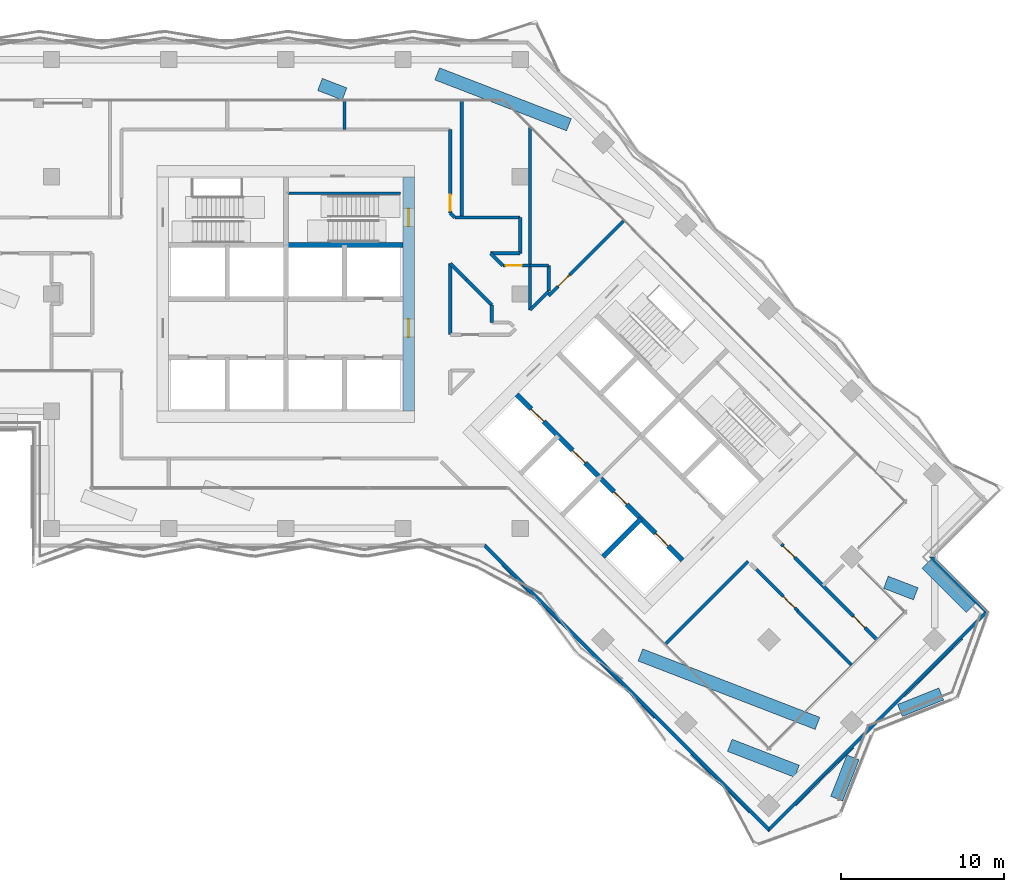
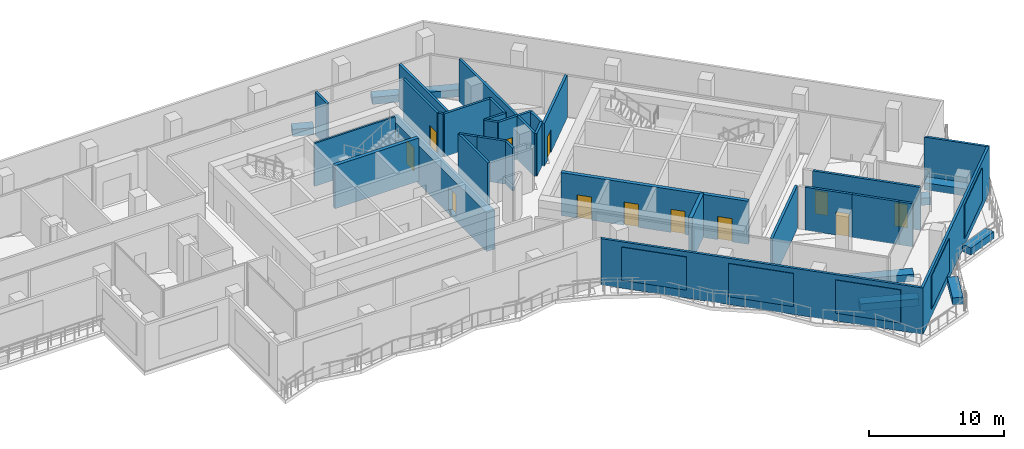
# One storey, part 12 of 23: 40 walls, 12 doors, 5 plates, 12 openings.
"""IFC4 building model written with IfcOpenShell, lengths in metres."""

from ifc_helpers import new_model, si_unit, direction, frame, frame_2d, origin, place, context, subcontext, project, spatial, polyline, rectangle, outline, extrude, material, layer, layer_set, type_object, element, fill, aggregate, save


model = new_model("IFC4")

# Units and contexts
model_context = context("Model", 3, precision=1e-05, world=origin(), true_north=direction((0.0, 1.0)))
body_context = subcontext(model_context, "Body", "Model", "MODEL_VIEW")
ifc_project = project(units=[si_unit("LENGTHUNIT", "METRE"), si_unit("AREAUNIT", "SQUARE_METRE"), si_unit("VOLUMEUNIT", "CUBIC_METRE"), si_unit("PLANEANGLEUNIT", "RADIAN"), si_unit("MASSUNIT", "GRAM", prefix="KILO")], contexts=[model_context])

# Plate
ifc_material_1 = material(Name="Aluminium louvre", Category="aluminium")
ifc_layer_1 = layer(ifc_material_1, 0.05)
ifc_layer_set_1 = layer_set([ifc_layer_1], Name="Belt louvre panel 5000x3000")
plate_type = type_object("IfcPlateType", Name="Belt louvre panel 5000x3000", PredefinedType="SHEET", material=ifc_layer_set_1)
site_placement = place(None, origin())
building_placement = place(site_placement, origin())
storey_placement = place(building_placement, frame((0.0, 0.0, 122.0)))
plate_1_placement = place(storey_placement, frame((78.0535, 40.9025, 0.75), z_axis=(-0.7071167811, -0.7070967812, 0.0), x_axis=(0.7070967812, -0.7071167811, 0.0)))
plate_1 = element("IfcPlate", 1, at=plate_1_placement, type_object=plate_type, Name="Belt louvre panel L33 71.1", PredefinedType="SHEET", context=body_context, shape_type="SweptSolid", body=[
    extrude(outline(polyline([(0.0, 0.0), (5.0, 0.0), (5.0, 3.0), (0.0, 3.0), (0.0, 0.0)])), origin(), (0.0, 0.0, -1.0), 0.05),
])

plate_2_placement = place(storey_placement, frame((83.872, 35.084, 0.75), z_axis=(-0.7071167811, -0.7070967812, 0.0), x_axis=(0.7070967812, -0.7071167811, 0.0)))
plate_2 = element("IfcPlate", 2, at=plate_2_placement, type_object=plate_type, Name="Belt louvre panel L33 72.2", PredefinedType="SHEET", context=body_context, shape_type="SweptSolid", body=[
    extrude(outline(polyline([(0.0, 0.0), (5.0, 0.0), (5.0, 3.0), (0.0, 3.0), (0.0, 0.0)])), origin(), (0.0, 0.0, -1.0), 0.05),
])

plate_3_placement = place(storey_placement, frame((89.6904, 29.2655, 0.75), z_axis=(-0.7071067812, -0.7071067812, 0.0), x_axis=(0.7071067812, -0.7071067812, 0.0)))
plate_3 = element("IfcPlate", 3, at=plate_3_placement, type_object=plate_type, Name="Belt louvre panel L33 73.3", PredefinedType="SHEET", context=body_context, shape_type="SweptSolid", body=[
    extrude(outline(polyline([(0.0, 0.0), (5.0, 0.0), (5.0, 3.0), (0.0, 3.0), (0.0, 0.0)])), origin(), (0.0, 0.0, -1.0), 0.05),
])

plate_4_placement = place(storey_placement, frame((96.1529, 26.1618, 0.75), z_axis=(0.7071067812, -0.7071067812, 0.0), x_axis=(0.7071067812, 0.7071067812, 0.0)))
plate_4 = element("IfcPlate", 4, at=plate_4_placement, type_object=plate_type, Name="Belt louvre panel L33 79.1", PredefinedType="SHEET", context=body_context, shape_type="SweptSolid", body=[
    extrude(outline(polyline([(0.0, 0.0), (5.0, 0.0), (5.0, 3.0), (0.0, 3.0), (0.0, 0.0)])), origin(), (0.0, 0.0, -1.0), 0.05),
])

plate_5_placement = place(storey_placement, frame((102.835, 32.844, 0.75), z_axis=(0.7070967812, -0.7071167811, 0.0), x_axis=(0.7071167811, 0.7070967812, 0.0)))
plate_5 = element("IfcPlate", 5, at=plate_5_placement, type_object=plate_type, Name="Belt louvre panel L33 80.2", PredefinedType="SHEET", context=body_context, shape_type="SweptSolid", body=[
    extrude(outline(polyline([(0.0, 0.0), (5.0, 0.0), (5.0, 3.0), (0.0, 3.0), (0.0, 0.0)])), origin(), (0.0, 0.0, -1.0), 0.05),
])

# Site, building, storey
site = spatial("IfcSite", under=ifc_project, at=site_placement, CompositionType="ELEMENT")
building = spatial("IfcBuilding", under=site, at=building_placement, Name="Windrow Commons", CompositionType="ELEMENT")
storey = spatial("IfcBuildingStorey", under=building, at=storey_placement, Name="L33", CompositionType="ELEMENT", Elevation=122.0)

# Wall
ifc_material_2 = material(Name="Concrete C40/50 precast screen panel", Category="concrete")
ifc_layer_2 = layer(ifc_material_2, 0.2)
ifc_layer_set_2 = layer_set([ifc_layer_2], Name="Belt screen wall 200")
wall_type_1 = type_object("IfcWallType", Name="Belt screen wall 200", PredefinedType="SOLIDWALL", material=ifc_layer_set_2)
wall_1_placement = place(storey_placement, frame((107.8378, 38.0589, 0.0), z_axis=(0.0, 0.0, 1.0), x_axis=(-0.7071067812, 0.7071067812, 0.0)))
element("IfcWall", 6, at=wall_1_placement, inside=storey, type_object=wall_type_1, Name="Belt screen wall L33 1", PredefinedType="SOLIDWALL", context=body_context, shape_type="SweptSolid", body=[
    extrude(outline(polyline([(-0.1, -0.1), (4.7, -0.1), (4.9, 0.1), (0.1, 0.1), (-0.1, -0.1)])), origin(), (0.0, 0.0, 1.0), 4.2),
])

wall_2_placement = place(storey_placement, frame((77.0181, 42.15, 0.0), z_axis=(0.0, 0.0, 1.0), x_axis=(0.7071067812, -0.7071067812, 0.0)))
wall_2 = element("IfcWall", 7, at=wall_2_placement, inside=storey, type_object=wall_type_1, Name="Belt screen wall L33 71", PredefinedType="SOLIDWALL", context=body_context, shape_type="SweptSolid", body=[
    extrude(outline(polyline([(0.0414, -0.1), (24.7857, -0.1), (24.5857, 0.1), (-0.0414, 0.1), (0.0414, -0.1)])), origin(), (0.0, 0.0, 1.0), 4.2),
])

aggregate(wall_2, [plate_1, plate_2, plate_3])

wall_3_placement = place(storey_placement, frame((94.4735, 24.6946, 0.0), z_axis=(0.0, 0.0, 1.0), x_axis=(0.7071067812, 0.7071067812, 0.0)))
wall_3 = element("IfcWall", 8, at=wall_3_placement, inside=storey, type_object=wall_type_1, Name="Belt screen wall L33 79", PredefinedType="SOLIDWALL", context=body_context, shape_type="SweptSolid", body=[
    extrude(outline(polyline([(-0.1, -0.1), (19.0, -0.1), (18.8, 0.1), (0.1, 0.1), (-0.1, -0.1)])), origin(), (0.0, 0.0, 1.0), 4.2),
])

aggregate(wall_3, [plate_4, plate_5])

# Wall, openings, doors
ifc_material_3 = material(Name="Blockwork partition", Category="masonry")
ifc_layer_3 = layer(ifc_material_3, 0.2)
ifc_layer_set_3 = layer_set([ifc_layer_3], Name="IW-CORRIDOR-200")
wall_type_2 = type_object("IfcWallType", Name="IW-CORRIDOR-200", PredefinedType="PARTITIONING", material=ifc_layer_set_3)
wall_4_placement = place(storey_placement, frame((95.2489, 42.2269, 0.0), z_axis=(0.0, 0.0, 1.0), x_axis=(0.7071067812, -0.7071067812, 0.0)))
wall_4 = element("IfcWall", 9, at=wall_4_placement, inside=storey, type_object=wall_type_2, Name="W-L33-W004", PredefinedType="PARTITIONING", context=body_context, shape_type="SweptSolid", body=[
    extrude(rectangle(XDim=8.2703, YDim=0.2, at=frame_2d((4.1352, 0.0))), origin(), (0.0, 0.0, 1.0), 3.9),
])
opening_1_placement = place(wall_4_placement, frame((0.1521, 0.0, 0.0)))
opening_1 = element("IfcOpeningElement", 10, at=opening_1_placement, cuts=wall_4, Name="Opening D310F", PredefinedType="OPENING", context=body_context, shape_type="SweptSolid", body=[
    extrude(rectangle(XDim=1.0, YDim=2.1, at=frame_2d((0.5, 1.05))), frame((0.0, 0.11, 0.0), z_axis=(0.0, -1.0, 0.0), x_axis=(1.0, 0.0, 0.0)), (0.0, 0.0, 1.0), 0.22),
])
opening_2_placement = place(wall_4_placement, frame((6.2555, 0.0, 0.0)))
opening_2 = element("IfcOpeningElement", 11, at=opening_2_placement, cuts=wall_4, Name="Opening D310F", PredefinedType="OPENING", context=body_context, shape_type="SweptSolid", body=[
    extrude(rectangle(XDim=1.0, YDim=2.1, at=frame_2d((0.5, 1.05))), frame((0.0, 0.11, 0.0), z_axis=(0.0, -1.0, 0.0), x_axis=(1.0, 0.0, 0.0)), (0.0, 0.0, 1.0), 0.22),
])
ifc_material_4 = material(Name="Timber door leaf", Category="wood")
door_type_1 = type_object("IfcDoorType", Name="DT-AMENITY-1000", OperationType="SINGLE_SWING_LEFT", PredefinedType="DOOR", material=ifc_material_4)
door_1_placement = place(opening_1_placement, origin())
door_1 = element("IfcDoor", 12, at=door_1_placement, inside=storey, type_object=door_type_1, Name="D-L33-D014", OperationType="SINGLE_SWING_RIGHT", OverallHeight=2.1, OverallWidth=1.0, PredefinedType="DOOR", context=body_context, shape_type="SweptSolid", body=[
    extrude(rectangle(XDim=1.0, YDim=2.1, at=frame_2d((0.5, 1.05))), frame((0.0, 0.025, 0.0), z_axis=(0.0, -1.0, 0.0), x_axis=(1.0, 0.0, 0.0)), (0.0, 0.0, 1.0), 0.05),
])
fill(opening_1, door_1)
door_2_placement = place(opening_2_placement, origin())
door_2 = element("IfcDoor", 13, at=door_2_placement, inside=storey, type_object=door_type_1, Name="D-L33-D015", OperationType="SINGLE_SWING_LEFT", OverallHeight=2.1, OverallWidth=1.0, PredefinedType="DOOR", context=body_context, shape_type="SweptSolid", body=[
    extrude(rectangle(XDim=1.0, YDim=2.1, at=frame_2d((0.5, 1.05))), frame((0.0, 0.025, 0.0), z_axis=(0.0, -1.0, 0.0), x_axis=(1.0, 0.0, 0.0)), (0.0, 0.0, 1.0), 0.05),
])
fill(opening_2, door_2)

# Wall
wall_5_placement = place(storey_placement, frame((88.1295, 36.1005, 0.0), z_axis=(0.0, 0.0, 1.0), x_axis=(0.7071067812, 0.7071067812, 0.0)))
element("IfcWall", 14, at=wall_5_placement, inside=storey, type_object=wall_type_2, Name="W-L33-W006", PredefinedType="PARTITIONING", context=body_context, shape_type="SweptSolid", body=[
    extrude(rectangle(XDim=7.1701, YDim=0.2, at=frame_2d((3.585, 0.0))), origin(), (0.0, 0.0, 1.0), 3.9),
])

# Wall, opening, door
wall_6_placement = place(storey_placement, frame((80.95, 57.49, 0.0), z_axis=(0.0, 0.0, 1.0), x_axis=(0.7069527442, 0.7072607846, 0.0)))
wall_6 = element("IfcWall", 15, at=wall_6_placement, inside=storey, type_object=wall_type_2, Name="W-L33-W011", PredefinedType="PARTITIONING", context=body_context, shape_type="SweptSolid", body=[
    extrude(rectangle(XDim=6.4927, YDim=0.2, at=frame_2d((3.2464, 0.0))), origin(), (0.0, 0.0, 1.0), 3.9),
])
opening_3_placement = place(wall_6_placement, frame((0.8238, 0.0, 0.0)))
opening_3 = element("IfcOpeningElement", 16, at=opening_3_placement, cuts=wall_6, Name="Opening D310F", PredefinedType="OPENING", context=body_context, shape_type="SweptSolid", body=[
    extrude(rectangle(XDim=1.0, YDim=2.1, at=frame_2d((0.5, 1.05))), frame((0.0, 0.11, 0.0), z_axis=(0.0, -1.0, 0.0), x_axis=(1.0, 0.0, 0.0)), (0.0, 0.0, 1.0), 0.22),
])
door_3_placement = place(opening_3_placement, origin())
door_3 = element("IfcDoor", 17, at=door_3_placement, inside=storey, type_object=door_type_1, Name="D-L33-D013", OperationType="SINGLE_SWING_RIGHT", OverallHeight=2.1, OverallWidth=1.0, PredefinedType="DOOR", context=body_context, shape_type="SweptSolid", body=[
    extrude(rectangle(XDim=1.0, YDim=2.1, at=frame_2d((0.5, 1.05))), frame((0.0, 0.025, 0.0), z_axis=(0.0, -1.0, 0.0), x_axis=(1.0, 0.0, 0.0)), (0.0, 0.0, 1.0), 0.05),
])
fill(opening_3, door_3)

wall_7_placement = place(storey_placement, frame((74.9, 62.582, 0.0), z_axis=(0.0, 0.0, 1.0), x_axis=(0.0, 1.0, 0.0)))
wall_7 = element("IfcWall", 18, at=wall_7_placement, inside=storey, type_object=wall_type_2, Name="W-L33-W014", PredefinedType="PARTITIONING", context=body_context, shape_type="SweptSolid", body=[
    extrude(rectangle(XDim=5.118, YDim=0.2, at=frame_2d((2.559, 0.0))), origin(), (0.0, 0.0, 1.0), 3.9),
])
opening_4_placement = place(wall_7_placement, frame((0.1286, 0.0, 0.0)))
opening_4 = element("IfcOpeningElement", 19, at=opening_4_placement, cuts=wall_7, Name="Opening D310F", PredefinedType="OPENING", context=body_context, shape_type="SweptSolid", body=[
    extrude(rectangle(XDim=1.0, YDim=2.1, at=frame_2d((0.5, 1.05))), frame((0.0, 0.11, 0.0), z_axis=(0.0, -1.0, 0.0), x_axis=(1.0, 0.0, 0.0)), (0.0, 0.0, 1.0), 0.22),
])
door_4_placement = place(opening_4_placement, origin())
door_4 = element("IfcDoor", 20, at=door_4_placement, inside=storey, type_object=door_type_1, Name="D-L33-D010", OperationType="SINGLE_SWING_LEFT", OverallHeight=2.1, OverallWidth=1.0, PredefinedType="DOOR", context=body_context, shape_type="SweptSolid", body=[
    extrude(rectangle(XDim=1.0, YDim=2.1, at=frame_2d((0.5, 1.05))), frame((0.0, 0.025, 0.0), z_axis=(0.0, -1.0, 0.0), x_axis=(1.0, 0.0, 0.0)), (0.0, 0.0, 1.0), 0.05),
])
fill(opening_4, door_4)

# Walls
wall_8_placement = place(storey_placement, frame((74.9, 55.102, 0.0), z_axis=(0.0, 0.0, 1.0), x_axis=(0.0, 1.0, 0.0)))
element("IfcWall", 21, at=wall_8_placement, inside=storey, type_object=wall_type_2, Name="W-L33-W017", PredefinedType="PARTITIONING", context=body_context, shape_type="SweptSolid", body=[
    extrude(rectangle(XDim=4.366, YDim=0.2, at=frame_2d((2.183, 0.0))), origin(), (0.0, 0.0, 1.0), 3.9),
])
wall_9_placement = place(storey_placement, frame((75.182, 62.3, 0.0), z_axis=(0.0, 0.0, 1.0), x_axis=(1.0, 0.0, 0.0)))
element("IfcWall", 22, at=wall_9_placement, inside=storey, type_object=wall_type_2, Name="W-L33-W020", PredefinedType="PARTITIONING", context=body_context, shape_type="SweptSolid", body=[
    extrude(rectangle(XDim=4.018, YDim=0.2, at=frame_2d((2.009, 0.0))), origin(), (0.0, 0.0, 1.0), 3.9),
])

# Wall, opening, door
wall_10_placement = place(storey_placement, frame((93.6993, 40.6793, 0.0), z_axis=(0.0, 0.0, 1.0), x_axis=(0.7071067812, -0.7071067812, 0.0)))
wall_10 = element("IfcWall", 23, at=wall_10_placement, inside=storey, type_object=wall_type_2, Name="W-L33-W022", PredefinedType="PARTITIONING", context=body_context, shape_type="SweptSolid", body=[
    extrude(rectangle(XDim=3.6006, YDim=0.2, at=frame_2d((1.8003, 0.0))), origin(), (0.0, 0.0, 1.0), 3.9),
])
opening_5_placement = place(wall_10_placement, frame((2.357, 0.0, 0.0)))
opening_5 = element("IfcOpeningElement", 24, at=opening_5_placement, cuts=wall_10, Name="Opening D310F", PredefinedType="OPENING", context=body_context, shape_type="SweptSolid", body=[
    extrude(rectangle(XDim=1.0, YDim=2.1, at=frame_2d((0.5, 1.05))), frame((0.0, 0.11, 0.0), z_axis=(0.0, -1.0, 0.0), x_axis=(1.0, 0.0, 0.0)), (0.0, 0.0, 1.0), 0.22),
])
door_5_placement = place(opening_5_placement, origin())
door_5 = element("IfcDoor", 25, at=door_5_placement, inside=storey, type_object=door_type_1, Name="D-L33-D016", OperationType="SINGLE_SWING_LEFT", OverallHeight=2.1, OverallWidth=1.0, PredefinedType="DOOR", context=body_context, shape_type="SweptSolid", body=[
    extrude(rectangle(XDim=1.0, YDim=2.1, at=frame_2d((0.5, 1.05))), frame((0.0, 0.025, 0.0), z_axis=(0.0, -1.0, 0.0), x_axis=(1.0, 0.0, 0.0)), (0.0, 0.0, 1.0), 0.05),
])
fill(opening_5, door_5)

# Walls
wall_11_placement = place(storey_placement, frame((96.2409, 38.1289, 0.0), z_axis=(0.0, 0.0, 1.0), x_axis=(0.7068288851, -0.7073845681, 0.0)))
element("IfcWall", 26, at=wall_11_placement, inside=storey, type_object=wall_type_2, Name="W-L33-W023", PredefinedType="PARTITIONING", context=body_context, shape_type="SweptSolid", body=[
    extrude(rectangle(XDim=3.5992, YDim=0.2, at=frame_2d((1.7996, 0.0))), origin(), (0.0, 0.0, 1.0), 3.9),
])
wall_12_placement = place(storey_placement, frame((79.8, 56.622, 0.0), z_axis=(0.0, 0.0, 1.0), x_axis=(0.0, 1.0, 0.0)))
element("IfcWall", 27, at=wall_12_placement, inside=storey, type_object=wall_type_2, Name="W-L33-W024", PredefinedType="PARTITIONING", context=body_context, shape_type="SweptSolid", body=[
    extrude(rectangle(XDim=2.728, YDim=0.2, at=frame_2d((1.364, 0.0))), origin(), (0.0, 0.0, 1.0), 3.9),
])
wall_13_placement = place(storey_placement, frame((75.8788, 58.4968, 0.0), z_axis=(0.0, 0.0, 1.0), x_axis=(0.7075561657, -0.7066571109, 0.0)))
element("IfcWall", 28, at=wall_13_placement, inside=storey, type_object=wall_type_2, Name="W-L33-W027", PredefinedType="PARTITIONING", context=body_context, shape_type="SweptSolid", body=[
    extrude(rectangle(XDim=2.2246, YDim=0.2, at=frame_2d((1.1123, 0.0))), origin(), (0.0, 0.0, 1.0), 3.9),
])
wall_14_placement = place(storey_placement, frame((79.2, 60.102, 0.0), z_axis=(0.0, 0.0, 1.0), x_axis=(0.0, 1.0, 0.0)))
element("IfcWall", 29, at=wall_14_placement, inside=storey, type_object=wall_type_2, Name="W-L33-W029", PredefinedType="PARTITIONING", context=body_context, shape_type="SweptSolid", body=[
    extrude(rectangle(XDim=2.198, YDim=0.2, at=frame_2d((1.099, 0.0))), origin(), (0.0, 0.0, 1.0), 3.9),
])
wall_15_placement = place(storey_placement, frame((77.384, 60.1, 0.0), z_axis=(0.0, 0.0, 1.0), x_axis=(1.0, 0.0, 0.0)))
element("IfcWall", 30, at=wall_15_placement, inside=storey, type_object=wall_type_2, Name="W-L33-W037", PredefinedType="PARTITIONING", context=body_context, shape_type="SweptSolid", body=[
    extrude(rectangle(XDim=1.814, YDim=0.2, at=frame_2d((0.907, 0.0))), origin(), (0.0, 0.0, 1.0), 3.9),
])

# Wall, opening, door
wall_16_placement = place(storey_placement, frame((78.132, 59.35, 0.0), z_axis=(0.0, 0.0, 1.0), x_axis=(1.0, 0.0, 0.0)))
wall_16 = element("IfcWall", 31, at=wall_16_placement, inside=storey, type_object=wall_type_2, Name="W-L33-W043", PredefinedType="PARTITIONING", context=body_context, shape_type="SweptSolid", body=[
    extrude(rectangle(XDim=1.668, YDim=0.2, at=frame_2d((0.834, 0.0))), origin(), (0.0, 0.0, 1.0), 3.9),
])
opening_6_placement = place(wall_16_placement, frame((0.1724, 0.0, 0.0)))
opening_6 = element("IfcOpeningElement", 32, at=opening_6_placement, cuts=wall_16, Name="Opening D310F", PredefinedType="OPENING", context=body_context, shape_type="SweptSolid", body=[
    extrude(rectangle(XDim=1.0, YDim=2.1, at=frame_2d((0.5, 1.05))), frame((0.0, 0.11, 0.0), z_axis=(0.0, -1.0, 0.0), x_axis=(1.0, 0.0, 0.0)), (0.0, 0.0, 1.0), 0.22),
])
door_6_placement = place(opening_6_placement, origin())
door_6 = element("IfcDoor", 33, at=door_6_placement, inside=storey, type_object=door_type_1, Name="D-L33-D012", OperationType="SINGLE_SWING_LEFT", OverallHeight=2.1, OverallWidth=1.0, PredefinedType="DOOR", context=body_context, shape_type="SweptSolid", body=[
    extrude(rectangle(XDim=1.0, YDim=2.1, at=frame_2d((0.5, 1.05))), frame((0.0, 0.025, 0.0), z_axis=(0.0, -1.0, 0.0), x_axis=(1.0, 0.0, 0.0)), (0.0, 0.0, 1.0), 0.05),
])
fill(opening_6, door_6)

# Walls
wall_17_placement = place(storey_placement, frame((79.8015, 56.6225, 0.0), z_axis=(0.0, 0.0, 1.0), x_axis=(0.7071067812, 0.7071067812, 0.0)))
element("IfcWall", 34, at=wall_17_placement, inside=storey, type_object=wall_type_2, Name="W-L33-W044", PredefinedType="PARTITIONING", context=body_context, shape_type="SweptSolid", body=[
    extrude(rectangle(XDim=1.6235, YDim=0.2, at=frame_2d((0.8117, 0.0))), origin(), (0.0, 0.0, 1.0), 3.9),
])
wall_18_placement = place(storey_placement, frame((74.9045, 59.4725, 0.0), z_axis=(0.0, 0.0, 1.0), x_axis=(0.7063811719, -0.7078316466, 0.0)))
element("IfcWall", 35, at=wall_18_placement, inside=storey, type_object=wall_type_2, Name="W-L33-W048", PredefinedType="PARTITIONING", context=body_context, shape_type="SweptSolid", body=[
    extrude(rectangle(XDim=1.3789, YDim=0.2, at=frame_2d((0.6895, 0.0))), origin(), (0.0, 0.0, 1.0), 3.9),
])
wall_19_placement = place(storey_placement, frame((98.7832, 35.5812, 0.0), z_axis=(0.0, 0.0, 1.0), x_axis=(0.7071067812, -0.7071067812, 0.0)))
element("IfcWall", 36, at=wall_19_placement, inside=storey, type_object=wall_type_2, Name="W-L33-W053", PredefinedType="PARTITIONING", context=body_context, shape_type="SweptSolid", body=[
    extrude(rectangle(XDim=1.072, YDim=0.2, at=frame_2d((0.536, 0.0))), origin(), (0.0, 0.0, 1.0), 3.9),
])
wall_20_placement = place(storey_placement, frame((77.45, 55.852, 0.0), z_axis=(0.0, 0.0, 1.0), x_axis=(0.0, 1.0, 0.0)))
element("IfcWall", 37, at=wall_20_placement, inside=storey, type_object=wall_type_2, Name="W-L33-W054", PredefinedType="PARTITIONING", context=body_context, shape_type="SweptSolid", body=[
    extrude(rectangle(XDim=1.068, YDim=0.2, at=frame_2d((0.534, 0.0))), origin(), (0.0, 0.0, 1.0), 3.9),
])
wall_21_placement = place(storey_placement, frame((77.3809, 60.0949, 0.0), z_axis=(0.0, 0.0, 1.0), x_axis=(0.7071067812, -0.7071067812, 0.0)))
element("IfcWall", 38, at=wall_21_placement, inside=storey, type_object=wall_type_2, Name="W-L33-W056", PredefinedType="PARTITIONING", context=body_context, shape_type="SweptSolid", body=[
    extrude(rectangle(XDim=1.0578, YDim=0.2, at=frame_2d((0.5289, 0.0))), origin(), (0.0, 0.0, 1.0), 3.9),
])
wall_22_placement = place(storey_placement, frame((74.8969, 62.5789, 0.0), z_axis=(0.0, 0.0, 1.0), x_axis=(0.7071067812, -0.7071067812, 0.0)))
element("IfcWall", 39, at=wall_22_placement, inside=storey, type_object=wall_type_2, Name="W-L33-W066", PredefinedType="PARTITIONING", context=body_context, shape_type="SweptSolid", body=[
    extrude(rectangle(XDim=0.3988, YDim=0.2, at=frame_2d((0.1994, 0.0))), origin(), (0.0, 0.0, 1.0), 3.9),
])
ifc_material_5 = material(Name="Blockwork partition", Category="masonry")
ifc_layer_4 = layer(ifc_material_5, 0.2)
ifc_layer_set_4 = layer_set([ifc_layer_4], Name="IW-PARTY-200")
wall_type_3 = type_object("IfcWallType", Name="IW-PARTY-200", PredefinedType="PARTITIONING", material=ifc_layer_set_4)
wall_23_placement = place(storey_placement, frame((79.8, 59.35, 0.0), z_axis=(0.0, 0.0, 1.0), x_axis=(0.0, 1.0, 0.0)))
element("IfcWall", 40, at=wall_23_placement, inside=storey, type_object=wall_type_3, Name="W-L33-W003", PredefinedType="PARTITIONING", context=body_context, shape_type="SweptSolid", body=[
    extrude(rectangle(XDim=8.472, YDim=0.2, at=frame_2d((4.236, 0.0))), origin(), (0.0, 0.0, 1.0), 3.9),
])
wall_24_placement = place(storey_placement, frame((75.6, 62.3, 0.0), z_axis=(0.0, 0.0, 1.0), x_axis=(0.0, 1.0, 0.0)))
element("IfcWall", 41, at=wall_24_placement, inside=storey, type_object=wall_type_3, Name="W-L33-W009", PredefinedType="PARTITIONING", context=body_context, shape_type="SweptSolid", body=[
    extrude(rectangle(XDim=7.17, YDim=0.2, at=frame_2d((3.585, 0.0))), origin(), (0.0, 0.0, 1.0), 3.9),
])
wall_25_placement = place(storey_placement, frame((68.4, 67.7, 0.0), z_axis=(0.0, 0.0, 1.0), x_axis=(0.0, 1.0, 0.0)))
element("IfcWall", 42, at=wall_25_placement, inside=storey, type_object=wall_type_3, Name="W-L33-W042", PredefinedType="PARTITIONING", context=body_context, shape_type="SweptSolid", body=[
    extrude(rectangle(XDim=1.77, YDim=0.2, at=frame_2d((0.885, 0.0))), origin(), (0.0, 0.0, 1.0), 3.9),
])
wall_26_placement = place(storey_placement, frame((80.95, 57.77, 0.0), z_axis=(0.0, 0.0, 1.0), x_axis=(0.0, 1.0, 0.0)))
element("IfcWall", 43, at=wall_26_placement, inside=storey, type_object=wall_type_3, Name="W-L33-W045", PredefinedType="PARTITIONING", context=body_context, shape_type="SweptSolid", body=[
    extrude(rectangle(XDim=1.578, YDim=0.2, at=frame_2d((0.789, 0.0))), origin(), (0.0, 0.0, 1.0), 3.9),
])
wall_27_placement = place(storey_placement, frame((79.8, 59.35, 0.0), z_axis=(0.0, 0.0, 1.0), x_axis=(1.0, 0.0, 0.0)))
element("IfcWall", 44, at=wall_27_placement, inside=storey, type_object=wall_type_3, Name="W-L33-W052", PredefinedType="PARTITIONING", context=body_context, shape_type="SweptSolid", body=[
    extrude(rectangle(XDim=1.148, YDim=0.2, at=frame_2d((0.574, 0.0))), origin(), (0.0, 0.0, 1.0), 3.9),
])
ifc_material_6 = material(Name="Concrete C30/37 planter wall", Category="concrete")
ifc_layer_5 = layer(ifc_material_6, 0.8)
ifc_layer_set_5 = layer_set([ifc_layer_5], Name="Planter 800x600")
wall_type_4 = type_object("IfcWallType", Name="Planter 800x600", PredefinedType="SOLIDWALL", material=ifc_layer_set_5)
for number, where, z_axis, x_axis, name in (
    (45, (98.6384, 26.5969, 0.0), (0.0, 0.0, 1.0), (0.369697375, 0.9291522216, 0.0), "PLANTER TR-L33-1.4"),
    (46, (102.5294, 32.0151, 0.0), (0.0, 0.0, 1.0), (0.9291522216, 0.369697375, 0.0), "PLANTER TR-L33-1.5"),
):
    element("IfcWall", number, at=place(storey_placement, frame(where, z_axis=z_axis, x_axis=x_axis)), inside=storey, type_object=wall_type_4, Name=name, PredefinedType="SOLIDWALL", context=body_context, shape_type="SweptSolid", body=[
        extrude(rectangle(XDim=2.7298, YDim=0.8, at=frame_2d((1.3649, 0.0))), origin(), (0.0, 0.0, 1.0), 0.65),
    ])
wall_28_placement = place(storey_placement, frame((106.8742, 38.3154, 0.0), z_axis=(0.0, 0.0, 1.0), x_axis=(-0.7071198112, 0.7070937509, 0.0)))
element("IfcWall", 47, at=wall_28_placement, inside=storey, type_object=wall_type_4, Name="PLANTER TR-L33-1.7", PredefinedType="SOLIDWALL", context=body_context, shape_type="SweptSolid", body=[
    extrude(rectangle(XDim=3.8373, YDim=0.8, at=frame_2d((1.9186, 0.0))), origin(), (0.0, 0.0, 1.0), 0.65),
])
wall_29_placement = place(storey_placement, frame((82.1912, 67.9959, 0.0), z_axis=(0.0, 0.0, 1.0), x_axis=(-0.9328115226, 0.3603646254, 0.0)))
element("IfcWall", 48, at=wall_29_placement, inside=storey, type_object=wall_type_4, Name="PLANTER TR-L33-1 bed 1", PredefinedType="SOLIDWALL", context=body_context, shape_type="SweptSolid", body=[
    extrude(rectangle(XDim=8.674, YDim=0.8, at=frame_2d((4.337, 0.0))), origin(), (0.0, 0.0, 1.0), 0.65),
])
wall_30_placement = place(storey_placement, frame((68.4084, 69.89, 0.0), z_axis=(0.0, 0.0, 1.0), x_axis=(-0.9327962444, 0.3604041708, 0.0)))
element("IfcWall", 49, at=wall_30_placement, inside=storey, type_object=wall_type_4, Name="PLANTER TR-L33-1 bed 3", PredefinedType="SOLIDWALL", context=body_context, shape_type="SweptSolid", body=[
    extrude(rectangle(XDim=1.6171, YDim=0.8, at=frame_2d((0.8085, 0.0))), origin(), (0.0, 0.0, 1.0), 0.65),
])
wall_31_placement = place(storey_placement, frame((97.4647, 31.2208, 0.0), z_axis=(0.0, 0.0, 1.0), x_axis=(-0.9328069089, 0.360376568, 0.0)))
element("IfcWall", 50, at=wall_31_placement, inside=storey, type_object=wall_type_4, Name="PLANTER TR-L33-1 bed 17", PredefinedType="SOLIDWALL", context=body_context, shape_type="SweptSolid", body=[
    extrude(rectangle(XDim=11.6678, YDim=0.8, at=frame_2d((5.8339, 0.0))), origin(), (0.0, 0.0, 1.0), 0.65),
])
wall_32_placement = place(storey_placement, frame((96.2024, 28.2781, 0.0), z_axis=(0.0, 0.0, 1.0), x_axis=(-0.9328115883, 0.3603644555, 0.0)))
element("IfcWall", 51, at=wall_32_placement, inside=storey, type_object=wall_type_4, Name="PLANTER TR-L33-1 bed 19", PredefinedType="SOLIDWALL", context=body_context, shape_type="SweptSolid", body=[
    extrude(rectangle(XDim=4.4294, YDim=0.8, at=frame_2d((2.2147, 0.0))), origin(), (0.0, 0.0, 1.0), 0.65),
])
wall_33_placement = place(storey_placement, frame((103.5009, 39.1804, 0.0), z_axis=(0.0, 0.0, 1.0), x_axis=(-0.9328051208, 0.3603811963, 0.0)))
element("IfcWall", 52, at=wall_33_placement, inside=storey, type_object=wall_type_4, Name="PLANTER TR-L33-1 bed 8", PredefinedType="SOLIDWALL", context=body_context, shape_type="SweptSolid", body=[
    extrude(outline(polyline([(0.0, -0.4), (1.9685, -0.4), (1.9685, 0.4), (0.0, 0.4), (0.0, -0.4)])), origin(), (0.0, 0.0, 1.0), 0.65),
])

# Wall, openings, doors
ifc_material_7 = material(Name="Concrete C50/60", Category="concrete")
ifc_layer_6 = layer(ifc_material_7, 0.7)
ifc_layer_set_6 = layer_set([ifc_layer_6], Name="RC CORE WALL 700 C50/60")
wall_type_5 = type_object("IfcWallType", Name="RC CORE WALL 700 C50/60", PredefinedType="SHEAR", material=ifc_layer_set_6)
wall_34_placement = place(storey_placement, frame((72.35, 50.4, -0.3), z_axis=(0.0, 0.0, 1.0), x_axis=(0.0, 1.0, 0.0)))
wall_34 = element("IfcWall", 53, at=wall_34_placement, inside=storey, type_object=wall_type_5, Name="Core A wall outer-E", PredefinedType="SHEAR", context=body_context, shape_type="SweptSolid", body=[
    extrude(rectangle(XDim=14.4, YDim=0.7, at=frame_2d((7.2, 0.0))), origin(), (0.0, 0.0, 1.0), 3.5),
])
opening_7_placement = place(wall_34_placement, frame((4.55, 0.0, 0.3)))
opening_7 = element("IfcOpeningElement", 54, at=opening_7_placement, cuts=wall_34, Name="Opening D6", PredefinedType="OPENING", context=body_context, shape_type="SweptSolid", body=[
    extrude(rectangle(XDim=1.1, YDim=2.1, at=frame_2d((0.55, 1.05))), frame((0.0, 0.36, 0.0), z_axis=(0.0, -1.0, 0.0), x_axis=(1.0, 0.0, 0.0)), (0.0, 0.0, 1.0), 0.72),
])
opening_8_placement = place(wall_34_placement, frame((11.35, 0.0, 0.3)))
opening_8 = element("IfcOpeningElement", 55, at=opening_8_placement, cuts=wall_34, Name="Opening D7", PredefinedType="OPENING", context=body_context, shape_type="SweptSolid", body=[
    extrude(rectangle(XDim=1.1, YDim=2.1, at=frame_2d((0.55, 1.05))), frame((0.0, 0.36, 0.0), z_axis=(0.0, -1.0, 0.0), x_axis=(1.0, 0.0, 0.0)), (0.0, 0.0, 1.0), 0.72),
])
ifc_material_8 = material(Name="Steel fire door leaf", Category="steel")
door_type_2 = type_object("IfcDoorType", Name="Core lobby door 1100", OperationType="SINGLE_SWING_LEFT", PredefinedType="DOOR", material=ifc_material_8)
door_7_placement = place(opening_7_placement, origin())
door_7 = element("IfcDoor", 56, at=door_7_placement, inside=storey, type_object=door_type_2, Name="Lift lobby door", OperationType="DOUBLE_DOOR_SINGLE_SWING", OverallHeight=2.1, OverallWidth=1.1, PredefinedType="DOOR", context=body_context, shape_type="SweptSolid", body=[
    extrude(rectangle(XDim=1.1, YDim=2.1, at=frame_2d((0.55, 1.05))), frame((0.0, 0.025, 0.0), z_axis=(0.0, -1.0, 0.0), x_axis=(1.0, 0.0, 0.0)), (0.0, 0.0, 1.0), 0.05),
])
fill(opening_7, door_7)
ifc_material_9 = material(Name="Steel fire door leaf", Category="steel")
door_type_3 = type_object("IfcDoorType", Name="Stair door 1100", OperationType="SINGLE_SWING_LEFT", PredefinedType="DOOR", material=ifc_material_9)
door_8_placement = place(opening_8_placement, origin())
door_8 = element("IfcDoor", 57, at=door_8_placement, inside=storey, type_object=door_type_3, Name="Stair door", OperationType="SINGLE_SWING_RIGHT", OverallHeight=2.1, OverallWidth=1.1, PredefinedType="DOOR", context=body_context, shape_type="SweptSolid", body=[
    extrude(rectangle(XDim=1.1, YDim=2.1, at=frame_2d((0.55, 1.05))), frame((0.0, 0.025, 0.0), z_axis=(0.0, -1.0, 0.0), x_axis=(1.0, 0.0, 0.0)), (0.0, 0.0, 1.0), 0.05),
])
fill(opening_8, door_8)

# Walls
ifc_material_10 = material(Name="Concrete C50/60", Category="concrete")
ifc_layer_7 = layer(ifc_material_10, 0.3)
ifc_layer_set_7 = layer_set([ifc_layer_7], Name="RC SHAFT WALL 300 C50/60")
wall_type_6 = type_object("IfcWallType", Name="RC SHAFT WALL 300 C50/60", PredefinedType="SOLIDWALL", material=ifc_layer_set_7)
wall_35_placement = place(storey_placement, frame((64.8, 60.6, 0.0), z_axis=(0.0, 0.0, 1.0), x_axis=(1.0, 0.0, 0.0)))
element("IfcWall", 58, at=wall_35_placement, inside=storey, type_object=wall_type_6, Name="Core A wall stair-S2", PredefinedType="SOLIDWALL", context=body_context, shape_type="SweptSolid", body=[
    extrude(rectangle(XDim=7.2, YDim=0.3, at=frame_2d((3.6, 0.0))), origin(), (0.0, 0.0, 1.0), 3.9),
])
wall_36_placement = place(storey_placement, frame((84.2912, 41.453, 0.0), z_axis=(0.0, 0.0, 1.0), x_axis=(0.7071067812, 0.7071067812, 0.0)))
element("IfcWall", 59, at=wall_36_placement, inside=storey, type_object=wall_type_6, Name="Core B wall shaft-S3", PredefinedType="SOLIDWALL", context=body_context, shape_type="SweptSolid", body=[
    extrude(rectangle(XDim=3.2999, YDim=0.3, at=frame_2d((1.65, 0.0))), origin(), (0.0, 0.0, 1.0), 3.9),
])

# Wall, openings, doors
wall_37_placement = place(storey_placement, frame((78.9879, 51.4232, 0.0), z_axis=(0.0, 0.0, 1.0), x_axis=(0.7071067812, -0.7071067812, 0.0)))
wall_37 = element("IfcWall", 60, at=wall_37_placement, inside=storey, type_object=wall_type_6, Name="Core B wall lobby-S", PredefinedType="SOLIDWALL", context=body_context, shape_type="SweptSolid", body=[
    extrude(rectangle(XDim=14.3999, YDim=0.3, at=frame_2d((7.2, 0.0))), origin(), (0.0, 0.0, 1.0), 3.9),
])
opening_9_placement = place(wall_37_placement, frame((1.25, 0.0, 0.0)))
opening_9 = element("IfcOpeningElement", 61, at=opening_9_placement, cuts=wall_37, Name="Opening LD", PredefinedType="OPENING", context=body_context, shape_type="SweptSolid", body=[
    extrude(rectangle(XDim=1.1, YDim=2.1, at=frame_2d((0.55, 1.05))), frame((0.0, 0.16, 0.0), z_axis=(0.0, -1.0, 0.0), x_axis=(1.0, 0.0, 0.0)), (0.0, 0.0, 1.0), 0.32),
])
opening_10_placement = place(wall_37_placement, frame((4.85, 0.0, 0.0)))
opening_10 = element("IfcOpeningElement", 62, at=opening_10_placement, cuts=wall_37, Name="Opening LD", PredefinedType="OPENING", context=body_context, shape_type="SweptSolid", body=[
    extrude(rectangle(XDim=1.1, YDim=2.1, at=frame_2d((0.55, 1.05))), frame((0.0, 0.16, 0.0), z_axis=(0.0, -1.0, 0.0), x_axis=(1.0, 0.0, 0.0)), (0.0, 0.0, 1.0), 0.32),
])
opening_11_placement = place(wall_37_placement, frame((8.45, 0.0, 0.0)))
opening_11 = element("IfcOpeningElement", 63, at=opening_11_placement, cuts=wall_37, Name="Opening LD", PredefinedType="OPENING", context=body_context, shape_type="SweptSolid", body=[
    extrude(rectangle(XDim=1.1, YDim=2.1, at=frame_2d((0.55, 1.05))), frame((0.0, 0.16, 0.0), z_axis=(0.0, -1.0, 0.0), x_axis=(1.0, 0.0, 0.0)), (0.0, 0.0, 1.0), 0.32),
])
opening_12_placement = place(wall_37_placement, frame((12.05, 0.0, 0.0)))
opening_12 = element("IfcOpeningElement", 64, at=opening_12_placement, cuts=wall_37, Name="Opening LD", PredefinedType="OPENING", context=body_context, shape_type="SweptSolid", body=[
    extrude(rectangle(XDim=1.1, YDim=2.1, at=frame_2d((0.55, 1.05))), frame((0.0, 0.16, 0.0), z_axis=(0.0, -1.0, 0.0), x_axis=(1.0, 0.0, 0.0)), (0.0, 0.0, 1.0), 0.32),
])
ifc_material_11 = material(Name="Stainless steel door leaf", Category="steel")
door_type_4 = type_object("IfcDoorType", Name="Lift landing door 1100", OperationType="SLIDING_TO_LEFT", PredefinedType="DOOR", material=ifc_material_11)
door_9_placement = place(opening_9_placement, origin())
door_9 = element("IfcDoor", 65, at=door_9_placement, inside=storey, type_object=door_type_4, Name="Lift landing door", OperationType="SLIDING_TO_LEFT", OverallHeight=2.1, OverallWidth=1.1, PredefinedType="DOOR", context=body_context, shape_type="SweptSolid", body=[
    extrude(rectangle(XDim=1.1, YDim=2.1, at=frame_2d((0.55, 1.05))), frame((0.0, 0.025, 0.0), z_axis=(0.0, -1.0, 0.0), x_axis=(1.0, 0.0, 0.0)), (0.0, 0.0, 1.0), 0.05),
])
fill(opening_9, door_9)
door_10_placement = place(opening_10_placement, origin())
door_10 = element("IfcDoor", 66, at=door_10_placement, inside=storey, type_object=door_type_4, Name="Lift landing door", OperationType="SLIDING_TO_RIGHT", OverallHeight=2.1, OverallWidth=1.1, PredefinedType="DOOR", context=body_context, shape_type="SweptSolid", body=[
    extrude(rectangle(XDim=1.1, YDim=2.1, at=frame_2d((0.55, 1.05))), frame((0.0, 0.025, 0.0), z_axis=(0.0, -1.0, 0.0), x_axis=(1.0, 0.0, 0.0)), (0.0, 0.0, 1.0), 0.05),
])
fill(opening_10, door_10)
door_11_placement = place(opening_11_placement, origin())
door_11 = element("IfcDoor", 67, at=door_11_placement, inside=storey, type_object=door_type_4, Name="Lift landing door", OperationType="SLIDING_TO_LEFT", OverallHeight=2.1, OverallWidth=1.1, PredefinedType="DOOR", context=body_context, shape_type="SweptSolid", body=[
    extrude(rectangle(XDim=1.1, YDim=2.1, at=frame_2d((0.55, 1.05))), frame((0.0, 0.025, 0.0), z_axis=(0.0, -1.0, 0.0), x_axis=(1.0, 0.0, 0.0)), (0.0, 0.0, 1.0), 0.05),
])
fill(opening_11, door_11)
door_12_placement = place(opening_12_placement, origin())
door_12 = element("IfcDoor", 68, at=door_12_placement, inside=storey, type_object=door_type_4, Name="Lift landing door", OperationType="SLIDING_TO_RIGHT", OverallHeight=2.1, OverallWidth=1.1, PredefinedType="DOOR", context=body_context, shape_type="SweptSolid", body=[
    extrude(rectangle(XDim=1.1, YDim=2.1, at=frame_2d((0.55, 1.05))), frame((0.0, 0.025, 0.0), z_axis=(0.0, -1.0, 0.0), x_axis=(1.0, 0.0, 0.0)), (0.0, 0.0, 1.0), 0.05),
])
fill(opening_12, door_12)

# Wall
ifc_material_12 = material(Name="Blockwork partition", Category="masonry")
ifc_layer_8 = layer(ifc_material_12, 0.15)
ifc_layer_set_8 = layer_set([ifc_layer_8], Name="Riser partition 150")
wall_type_7 = type_object("IfcWallType", Name="Riser partition 150", PredefinedType="PARTITIONING", material=ifc_layer_set_8)
wall_38_placement = place(storey_placement, frame((64.95, 63.78, 0.0), z_axis=(0.0, 0.0, 1.0), x_axis=(1.0, 0.0, 0.0)))
element("IfcWall", 69, at=wall_38_placement, inside=storey, type_object=wall_type_7, Name="W-core-strip-A-L33", PredefinedType="PARTITIONING", context=body_context, shape_type="SweptSolid", body=[
    extrude(rectangle(XDim=6.9, YDim=0.15, at=frame_2d((3.45, 0.0))), origin(), (0.0, 0.0, 1.0), 3.9),
])

save(model, "model.ifc")
